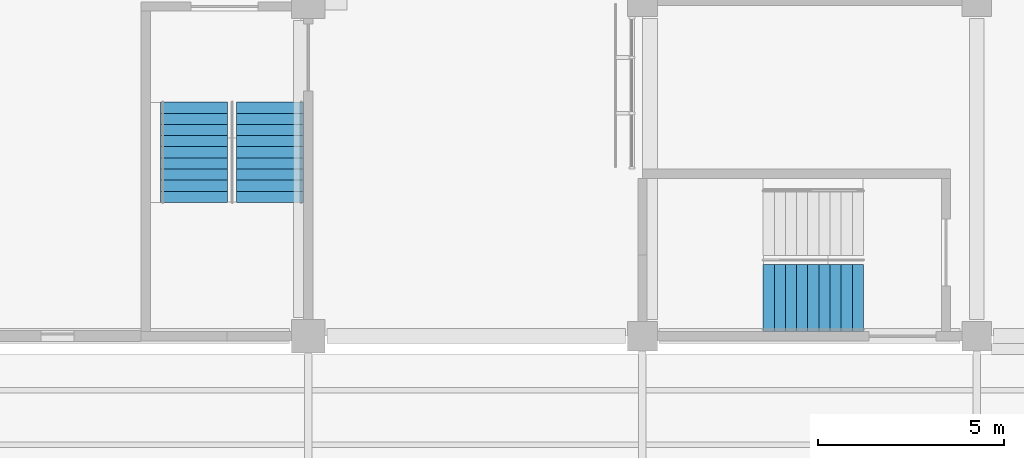
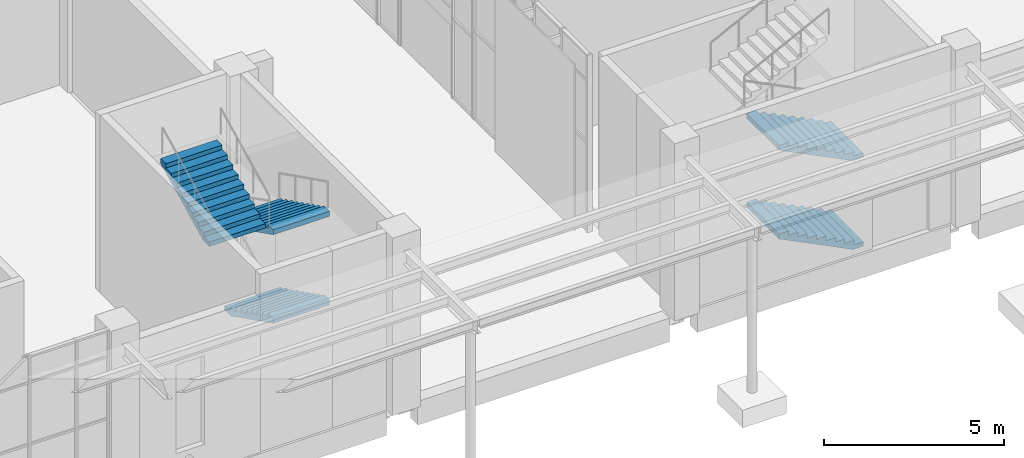
# One storey, part 68 of 86: 5 stair flights, 2 elements without a shape of their own.
"""IFC4 building model written with IfcOpenShell, lengths in metres."""

from ifc_helpers import new_model, si_unit, direction, frame, origin, place, context, subcontext, project, spatial, faceted_brep, material, type_object, element, aggregate, save


model = new_model("IFC4")

# Units and contexts
model_context = context("Model", 3, precision=1e-05, world=origin(), true_north=direction((0.0, 1.0)))
body_context = subcontext(model_context, "Body", "Model", "MODEL_VIEW")
ifc_project = project(units=[si_unit("LENGTHUNIT", "METRE"), si_unit("AREAUNIT", "SQUARE_METRE"), si_unit("VOLUMEUNIT", "CUBIC_METRE"), si_unit("PLANEANGLEUNIT", "RADIAN"), si_unit("MASSUNIT", "GRAM", prefix="KILO")], contexts=[model_context])

# Site, building, storey
site_placement = place(None, origin())
site = spatial("IfcSite", under=ifc_project, at=site_placement, CompositionType="ELEMENT")
building_placement = place(site_placement, origin())
building = spatial("IfcBuilding", under=site, at=building_placement, Name="Guidao Yard Department Store", CompositionType="ELEMENT")
storey_placement = place(building_placement, origin())
storey = spatial("IfcBuildingStorey", under=building, at=storey_placement, Name="L00", CompositionType="ELEMENT", Elevation=0.0)

# Stair, stair flights
ifc_material_1 = material(Name="Concrete C35", Category="concrete")
stair_type = type_object("IfcStairType", Name="Stair double-return four-flight 1800 wide 6.0 m rise", PredefinedType="DOUBLE_RETURN_STAIR", material=ifc_material_1)
stair_1_placement = place(storey_placement, origin())
stair_1 = element("IfcStair", 1, at=stair_1_placement, inside=storey, type_object=stair_type, Name="Stair A2 L00 to L01", PredefinedType="DOUBLE_RETURN_STAIR")
ifc_material_2 = material(Name="Concrete C35", Category="concrete")
stair_flight_type = type_object("IfcStairFlightType", Name="Stair flight RC straight 1800 wide 10 risers x 300 going C35", PredefinedType="STRAIGHT", material=ifc_material_2)
stair_flight_1_placement = place(storey_placement, frame((61.97509765625, 51.300048828125, 0.0), z_axis=(0.0, 0.0, 1.0), x_axis=(0.0, -1.0, 0.0)))
stair_flight_1 = element("IfcStairFlight", 2, at=stair_flight_1_placement, type_object=stair_flight_type, Name="SA2-L00 flight 1", NumberOfRisers=10, NumberOfTreads=9, PredefinedType="STRAIGHT", RiserHeight=0.15, TreadLength=0.3, context=body_context, shape_type="Brep", body=[
    faceted_brep([(0.0, 0.89990234375, 0.0), (0.0, 0.89990234375, 0.14990234375), (0.300048828125, 0.89990234375, 0.14990234375), (0.300048828125, 0.89990234375, 0.300048828125), (0.60009765625, 0.89990234375, 0.300048828125), (0.60009765625, 0.89990234375, 0.449951171875), (0.89990234375, 0.89990234375, 0.449951171875), (0.89990234375, 0.89990234375, 0.60009765625), (1.199951171875, 0.89990234375, 0.60009765625), (1.199951171875, 0.89990234375, 0.75), (1.5, 0.89990234375, 0.75), (1.5, 0.89990234375, 0.89990234375), (1.800048828125, 0.89990234375, 0.89990234375), (1.800048828125, 0.89990234375, 1.050048828125), (2.10009765625, 0.89990234375, 1.050048828125), (2.10009765625, 0.89990234375, 1.199951171875), (2.39990234375, 0.89990234375, 1.199951171875), (2.39990234375, 0.89990234375, 1.35009765625), (2.699951171875, 0.89990234375, 1.35009765625), (2.699951171875, 0.89990234375, 1.182373046875), (0.335205078125, 0.89990234375, 0.0), (0.335205078125, -0.89990234375, 0.0), (2.699951171875, -0.89990234375, 1.182373046875), (2.699951171875, -0.89990234375, 1.35009765625), (2.39990234375, -0.89990234375, 1.35009765625), (2.39990234375, -0.89990234375, 1.199951171875), (2.10009765625, -0.89990234375, 1.199951171875), (2.10009765625, -0.89990234375, 1.050048828125), (1.800048828125, -0.89990234375, 1.050048828125), (1.800048828125, -0.89990234375, 0.89990234375), (1.5, -0.89990234375, 0.89990234375), (1.5, -0.89990234375, 0.75), (1.199951171875, -0.89990234375, 0.75), (1.199951171875, -0.89990234375, 0.60009765625), (0.89990234375, -0.89990234375, 0.60009765625), (0.89990234375, -0.89990234375, 0.449951171875), (0.60009765625, -0.89990234375, 0.449951171875), (0.60009765625, -0.89990234375, 0.300048828125), (0.300048828125, -0.89990234375, 0.300048828125), (0.300048828125, -0.89990234375, 0.14990234375), (0.0, -0.89990234375, 0.14990234375), (0.0, -0.89990234375, 0.0), (0.0, 0.300048828125, 0.0), (0.0, 0.300048828125, 0.14990234375), (0.0, -0.300048828125, 0.0), (0.0, -0.300048828125, 0.14990234375), (0.300048828125, 0.300048828125, 0.14990234375), (0.300048828125, -0.300048828125, 0.14990234375), (0.300048828125, 0.300048828125, 0.300048828125), (0.300048828125, -0.300048828125, 0.300048828125), (0.60009765625, 0.300048828125, 0.300048828125), (0.60009765625, -0.300048828125, 0.300048828125), (0.60009765625, 0.300048828125, 0.449951171875), (0.60009765625, -0.300048828125, 0.449951171875), (0.89990234375, 0.300048828125, 0.449951171875), (0.89990234375, -0.300048828125, 0.449951171875), (0.89990234375, 0.300048828125, 0.60009765625), (0.89990234375, -0.300048828125, 0.60009765625), (1.199951171875, 0.300048828125, 0.60009765625), (1.199951171875, -0.300048828125, 0.60009765625), (1.199951171875, 0.300048828125, 0.75), (1.199951171875, -0.300048828125, 0.75), (1.5, 0.300048828125, 0.75), (1.5, -0.300048828125, 0.75), (1.5, 0.300048828125, 0.89990234375), (1.5, -0.300048828125, 0.89990234375), (1.800048828125, 0.300048828125, 0.89990234375), (1.800048828125, -0.300048828125, 0.89990234375), (1.800048828125, 0.300048828125, 1.050048828125), (1.800048828125, -0.300048828125, 1.050048828125), (2.10009765625, 0.300048828125, 1.050048828125), (2.10009765625, -0.300048828125, 1.050048828125), (2.10009765625, 0.300048828125, 1.199951171875), (2.10009765625, -0.300048828125, 1.199951171875), (2.39990234375, 0.300048828125, 1.199951171875), (2.39990234375, -0.300048828125, 1.199951171875), (2.39990234375, 0.300048828125, 1.35009765625), (2.39990234375, -0.300048828125, 1.35009765625), (2.699951171875, 0.300048828125, 1.35009765625), (2.699951171875, -0.300048828125, 1.35009765625), (2.699951171875, 0.300048828125, 1.182373046875), (2.699951171875, -0.300048828125, 1.182373046875), (0.335205078125, 0.300048828125, 0.0), (0.335205078125, -0.300048828125, 0.0)], [[[0, 1, 2, 3, 4, 5, 6, 7, 8, 9, 10, 11, 12, 13, 14, 15, 16, 17, 18, 19, 20]], [[21, 22, 23, 24, 25, 26, 27, 28, 29, 30, 31, 32, 33, 34, 35, 36, 37, 38, 39, 40, 41]], [[42, 43, 1, 0]], [[44, 45, 43, 42]], [[41, 40, 45, 44]], [[43, 46, 2, 1]], [[45, 47, 46, 43]], [[40, 39, 47, 45]], [[46, 48, 3, 2]], [[47, 49, 48, 46]], [[39, 38, 49, 47]], [[48, 50, 4, 3]], [[49, 51, 50, 48]], [[38, 37, 51, 49]], [[50, 52, 5, 4]], [[51, 53, 52, 50]], [[37, 36, 53, 51]], [[52, 54, 6, 5]], [[53, 55, 54, 52]], [[36, 35, 55, 53]], [[54, 56, 7, 6]], [[55, 57, 56, 54]], [[35, 34, 57, 55]], [[56, 58, 8, 7]], [[57, 59, 58, 56]], [[34, 33, 59, 57]], [[58, 60, 9, 8]], [[59, 61, 60, 58]], [[33, 32, 61, 59]], [[60, 62, 10, 9]], [[61, 63, 62, 60]], [[32, 31, 63, 61]], [[62, 64, 11, 10]], [[63, 65, 64, 62]], [[31, 30, 65, 63]], [[64, 66, 12, 11]], [[65, 67, 66, 64]], [[30, 29, 67, 65]], [[66, 68, 13, 12]], [[67, 69, 68, 66]], [[29, 28, 69, 67]], [[68, 70, 14, 13]], [[69, 71, 70, 68]], [[28, 27, 71, 69]], [[70, 72, 15, 14]], [[71, 73, 72, 70]], [[27, 26, 73, 71]], [[72, 74, 16, 15]], [[73, 75, 74, 72]], [[26, 25, 75, 73]], [[74, 76, 17, 16]], [[75, 77, 76, 74]], [[25, 24, 77, 75]], [[76, 78, 18, 17]], [[77, 79, 78, 76]], [[24, 23, 79, 77]], [[78, 80, 19, 18]], [[79, 81, 80, 78]], [[23, 22, 81, 79]], [[80, 82, 20, 19]], [[81, 83, 82, 80]], [[22, 21, 83, 81]], [[82, 42, 0, 20]], [[83, 44, 42, 82]], [[21, 41, 44, 83]]]),
])
stair_flight_2_placement = place(storey_placement, frame((61.97509765625, 51.300048828125, 3.0), z_axis=(0.0, 0.0, 1.0), x_axis=(0.0, -1.0, 0.0)))
stair_flight_2 = element("IfcStairFlight", 3, at=stair_flight_2_placement, type_object=stair_flight_type, Name="SA2-L00 flight 3", NumberOfRisers=10, NumberOfTreads=9, PredefinedType="STRAIGHT", RiserHeight=0.15, TreadLength=0.3, context=body_context, shape_type="Brep", body=[
    faceted_brep([(0.0, 0.89990234375, 0.0), (0.0, 0.89990234375, 0.14990234375), (0.300048828125, 0.89990234375, 0.14990234375), (0.300048828125, 0.89990234375, 0.300048828125), (0.60009765625, 0.89990234375, 0.300048828125), (0.60009765625, 0.89990234375, 0.449951171875), (0.89990234375, 0.89990234375, 0.449951171875), (0.89990234375, 0.89990234375, 0.60009765625), (1.199951171875, 0.89990234375, 0.60009765625), (1.199951171875, 0.89990234375, 0.75), (1.5, 0.89990234375, 0.75), (1.5, 0.89990234375, 0.89990234375), (1.800048828125, 0.89990234375, 0.89990234375), (1.800048828125, 0.89990234375, 1.050048828125), (2.10009765625, 0.89990234375, 1.050048828125), (2.10009765625, 0.89990234375, 1.199951171875), (2.39990234375, 0.89990234375, 1.199951171875), (2.39990234375, 0.89990234375, 1.35009765625), (2.699951171875, 0.89990234375, 1.35009765625), (2.699951171875, 0.89990234375, 1.182373046875), (0.335205078125, 0.89990234375, 0.0), (0.335205078125, -0.89990234375, 0.0), (2.699951171875, -0.89990234375, 1.182373046875), (2.699951171875, -0.89990234375, 1.35009765625), (2.39990234375, -0.89990234375, 1.35009765625), (2.39990234375, -0.89990234375, 1.199951171875), (2.10009765625, -0.89990234375, 1.199951171875), (2.10009765625, -0.89990234375, 1.050048828125), (1.800048828125, -0.89990234375, 1.050048828125), (1.800048828125, -0.89990234375, 0.89990234375), (1.5, -0.89990234375, 0.89990234375), (1.5, -0.89990234375, 0.75), (1.199951171875, -0.89990234375, 0.75), (1.199951171875, -0.89990234375, 0.60009765625), (0.89990234375, -0.89990234375, 0.60009765625), (0.89990234375, -0.89990234375, 0.449951171875), (0.60009765625, -0.89990234375, 0.449951171875), (0.60009765625, -0.89990234375, 0.300048828125), (0.300048828125, -0.89990234375, 0.300048828125), (0.300048828125, -0.89990234375, 0.14990234375), (0.0, -0.89990234375, 0.14990234375), (0.0, -0.89990234375, 0.0), (0.0, 0.300048828125, 0.0), (0.0, 0.300048828125, 0.14990234375), (0.0, -0.300048828125, 0.0), (0.0, -0.300048828125, 0.14990234375), (0.300048828125, 0.300048828125, 0.14990234375), (0.300048828125, -0.300048828125, 0.14990234375), (0.300048828125, 0.300048828125, 0.300048828125), (0.300048828125, -0.300048828125, 0.300048828125), (0.60009765625, 0.300048828125, 0.300048828125), (0.60009765625, -0.300048828125, 0.300048828125), (0.60009765625, 0.300048828125, 0.449951171875), (0.60009765625, -0.300048828125, 0.449951171875), (0.89990234375, 0.300048828125, 0.449951171875), (0.89990234375, -0.300048828125, 0.449951171875), (0.89990234375, 0.300048828125, 0.60009765625), (0.89990234375, -0.300048828125, 0.60009765625), (1.199951171875, 0.300048828125, 0.60009765625), (1.199951171875, -0.300048828125, 0.60009765625), (1.199951171875, 0.300048828125, 0.75), (1.199951171875, -0.300048828125, 0.75), (1.5, 0.300048828125, 0.75), (1.5, -0.300048828125, 0.75), (1.5, 0.300048828125, 0.89990234375), (1.5, -0.300048828125, 0.89990234375), (1.800048828125, 0.300048828125, 0.89990234375), (1.800048828125, -0.300048828125, 0.89990234375), (1.800048828125, 0.300048828125, 1.050048828125), (1.800048828125, -0.300048828125, 1.050048828125), (2.10009765625, 0.300048828125, 1.050048828125), (2.10009765625, -0.300048828125, 1.050048828125), (2.10009765625, 0.300048828125, 1.199951171875), (2.10009765625, -0.300048828125, 1.199951171875), (2.39990234375, 0.300048828125, 1.199951171875), (2.39990234375, -0.300048828125, 1.199951171875), (2.39990234375, 0.300048828125, 1.35009765625), (2.39990234375, -0.300048828125, 1.35009765625), (2.699951171875, 0.300048828125, 1.35009765625), (2.699951171875, -0.300048828125, 1.35009765625), (2.699951171875, 0.300048828125, 1.182373046875), (2.699951171875, -0.300048828125, 1.182373046875), (0.335205078125, 0.300048828125, 0.0), (0.335205078125, -0.300048828125, 0.0)], [[[0, 1, 2, 3, 4, 5, 6, 7, 8, 9, 10, 11, 12, 13, 14, 15, 16, 17, 18, 19, 20]], [[21, 22, 23, 24, 25, 26, 27, 28, 29, 30, 31, 32, 33, 34, 35, 36, 37, 38, 39, 40, 41]], [[42, 43, 1, 0]], [[44, 45, 43, 42]], [[41, 40, 45, 44]], [[43, 46, 2, 1]], [[45, 47, 46, 43]], [[40, 39, 47, 45]], [[46, 48, 3, 2]], [[47, 49, 48, 46]], [[39, 38, 49, 47]], [[48, 50, 4, 3]], [[49, 51, 50, 48]], [[38, 37, 51, 49]], [[50, 52, 5, 4]], [[51, 53, 52, 50]], [[37, 36, 53, 51]], [[52, 54, 6, 5]], [[53, 55, 54, 52]], [[36, 35, 55, 53]], [[54, 56, 7, 6]], [[55, 57, 56, 54]], [[35, 34, 57, 55]], [[56, 58, 8, 7]], [[57, 59, 58, 56]], [[34, 33, 59, 57]], [[58, 60, 9, 8]], [[59, 61, 60, 58]], [[33, 32, 61, 59]], [[60, 62, 10, 9]], [[61, 63, 62, 60]], [[32, 31, 63, 61]], [[62, 64, 11, 10]], [[63, 65, 64, 62]], [[31, 30, 65, 63]], [[64, 66, 12, 11]], [[65, 67, 66, 64]], [[30, 29, 67, 65]], [[66, 68, 13, 12]], [[67, 69, 68, 66]], [[29, 28, 69, 67]], [[68, 70, 14, 13]], [[69, 71, 70, 68]], [[28, 27, 71, 69]], [[70, 72, 15, 14]], [[71, 73, 72, 70]], [[27, 26, 73, 71]], [[72, 74, 16, 15]], [[73, 75, 74, 72]], [[26, 25, 75, 73]], [[74, 76, 17, 16]], [[75, 77, 76, 74]], [[25, 24, 77, 75]], [[76, 78, 18, 17]], [[77, 79, 78, 76]], [[24, 23, 79, 77]], [[78, 80, 19, 18]], [[79, 81, 80, 78]], [[23, 22, 81, 79]], [[80, 82, 20, 19]], [[81, 83, 82, 80]], [[22, 21, 83, 81]], [[82, 42, 0, 20]], [[83, 44, 42, 82]], [[21, 41, 44, 83]]]),
])
stair_flight_3_placement = place(storey_placement, frame((59.925048828125, 48.60009765625, 4.5), z_axis=(0.0, 0.0, 1.0), x_axis=(0.0, 1.0, 0.0)))
stair_flight_3 = element("IfcStairFlight", 4, at=stair_flight_3_placement, type_object=stair_flight_type, Name="SA2-L00 flight 4", NumberOfRisers=10, NumberOfTreads=9, PredefinedType="STRAIGHT", RiserHeight=0.15, TreadLength=0.3, context=body_context, shape_type="Brep", body=[
    faceted_brep([(0.0, 0.89990234375, 0.0), (0.0, 0.89990234375, 0.14990234375), (0.300048828125, 0.89990234375, 0.14990234375), (0.300048828125, 0.89990234375, 0.300048828125), (0.60009765625, 0.89990234375, 0.300048828125), (0.60009765625, 0.89990234375, 0.449951171875), (0.89990234375, 0.89990234375, 0.449951171875), (0.89990234375, 0.89990234375, 0.60009765625), (1.199951171875, 0.89990234375, 0.60009765625), (1.199951171875, 0.89990234375, 0.75), (1.5, 0.89990234375, 0.75), (1.5, 0.89990234375, 0.89990234375), (1.800048828125, 0.89990234375, 0.89990234375), (1.800048828125, 0.89990234375, 1.050048828125), (2.10009765625, 0.89990234375, 1.050048828125), (2.10009765625, 0.89990234375, 1.199951171875), (2.39990234375, 0.89990234375, 1.199951171875), (2.39990234375, 0.89990234375, 1.35009765625), (2.699951171875, 0.89990234375, 1.35009765625), (2.699951171875, 0.89990234375, 1.182373046875), (0.335205078125, 0.89990234375, 0.0), (0.335205078125, -0.89990234375, 0.0), (2.699951171875, -0.89990234375, 1.182373046875), (2.699951171875, -0.89990234375, 1.35009765625), (2.39990234375, -0.89990234375, 1.35009765625), (2.39990234375, -0.89990234375, 1.199951171875), (2.10009765625, -0.89990234375, 1.199951171875), (2.10009765625, -0.89990234375, 1.050048828125), (1.800048828125, -0.89990234375, 1.050048828125), (1.800048828125, -0.89990234375, 0.89990234375), (1.5, -0.89990234375, 0.89990234375), (1.5, -0.89990234375, 0.75), (1.199951171875, -0.89990234375, 0.75), (1.199951171875, -0.89990234375, 0.60009765625), (0.89990234375, -0.89990234375, 0.60009765625), (0.89990234375, -0.89990234375, 0.449951171875), (0.60009765625, -0.89990234375, 0.449951171875), (0.60009765625, -0.89990234375, 0.300048828125), (0.300048828125, -0.89990234375, 0.300048828125), (0.300048828125, -0.89990234375, 0.14990234375), (0.0, -0.89990234375, 0.14990234375), (0.0, -0.89990234375, 0.0), (0.0, 0.300048828125, 0.0), (0.0, 0.300048828125, 0.14990234375), (0.0, -0.300048828125, 0.0), (0.0, -0.300048828125, 0.14990234375), (0.300048828125, 0.300048828125, 0.14990234375), (0.300048828125, -0.300048828125, 0.14990234375), (0.300048828125, 0.300048828125, 0.300048828125), (0.300048828125, -0.300048828125, 0.300048828125), (0.60009765625, 0.300048828125, 0.300048828125), (0.60009765625, -0.300048828125, 0.300048828125), (0.60009765625, 0.300048828125, 0.449951171875), (0.60009765625, -0.300048828125, 0.449951171875), (0.89990234375, 0.300048828125, 0.449951171875), (0.89990234375, -0.300048828125, 0.449951171875), (0.89990234375, 0.300048828125, 0.60009765625), (0.89990234375, -0.300048828125, 0.60009765625), (1.199951171875, 0.300048828125, 0.60009765625), (1.199951171875, -0.300048828125, 0.60009765625), (1.199951171875, 0.300048828125, 0.75), (1.199951171875, -0.300048828125, 0.75), (1.5, 0.300048828125, 0.75), (1.5, -0.300048828125, 0.75), (1.5, 0.300048828125, 0.89990234375), (1.5, -0.300048828125, 0.89990234375), (1.800048828125, 0.300048828125, 0.89990234375), (1.800048828125, -0.300048828125, 0.89990234375), (1.800048828125, 0.300048828125, 1.050048828125), (1.800048828125, -0.300048828125, 1.050048828125), (2.10009765625, 0.300048828125, 1.050048828125), (2.10009765625, -0.300048828125, 1.050048828125), (2.10009765625, 0.300048828125, 1.199951171875), (2.10009765625, -0.300048828125, 1.199951171875), (2.39990234375, 0.300048828125, 1.199951171875), (2.39990234375, -0.300048828125, 1.199951171875), (2.39990234375, 0.300048828125, 1.35009765625), (2.39990234375, -0.300048828125, 1.35009765625), (2.699951171875, 0.300048828125, 1.35009765625), (2.699951171875, -0.300048828125, 1.35009765625), (2.699951171875, 0.300048828125, 1.182373046875), (2.699951171875, -0.300048828125, 1.182373046875), (0.335205078125, 0.300048828125, 0.0), (0.335205078125, -0.300048828125, 0.0)], [[[0, 1, 2, 3, 4, 5, 6, 7, 8, 9, 10, 11, 12, 13, 14, 15, 16, 17, 18, 19, 20]], [[21, 22, 23, 24, 25, 26, 27, 28, 29, 30, 31, 32, 33, 34, 35, 36, 37, 38, 39, 40, 41]], [[42, 43, 1, 0]], [[44, 45, 43, 42]], [[41, 40, 45, 44]], [[43, 46, 2, 1]], [[45, 47, 46, 43]], [[40, 39, 47, 45]], [[46, 48, 3, 2]], [[47, 49, 48, 46]], [[39, 38, 49, 47]], [[48, 50, 4, 3]], [[49, 51, 50, 48]], [[38, 37, 51, 49]], [[50, 52, 5, 4]], [[51, 53, 52, 50]], [[37, 36, 53, 51]], [[52, 54, 6, 5]], [[53, 55, 54, 52]], [[36, 35, 55, 53]], [[54, 56, 7, 6]], [[55, 57, 56, 54]], [[35, 34, 57, 55]], [[56, 58, 8, 7]], [[57, 59, 58, 56]], [[34, 33, 59, 57]], [[58, 60, 9, 8]], [[59, 61, 60, 58]], [[33, 32, 61, 59]], [[60, 62, 10, 9]], [[61, 63, 62, 60]], [[32, 31, 63, 61]], [[62, 64, 11, 10]], [[63, 65, 64, 62]], [[31, 30, 65, 63]], [[64, 66, 12, 11]], [[65, 67, 66, 64]], [[30, 29, 67, 65]], [[66, 68, 13, 12]], [[67, 69, 68, 66]], [[29, 28, 69, 67]], [[68, 70, 14, 13]], [[69, 71, 70, 68]], [[28, 27, 71, 69]], [[70, 72, 15, 14]], [[71, 73, 72, 70]], [[27, 26, 73, 71]], [[72, 74, 16, 15]], [[73, 75, 74, 72]], [[26, 25, 75, 73]], [[74, 76, 17, 16]], [[75, 77, 76, 74]], [[25, 24, 77, 75]], [[76, 78, 18, 17]], [[77, 79, 78, 76]], [[24, 23, 79, 77]], [[78, 80, 19, 18]], [[79, 81, 80, 78]], [[23, 22, 81, 79]], [[80, 82, 20, 19]], [[81, 83, 82, 80]], [[22, 21, 83, 81]], [[82, 42, 0, 20]], [[83, 44, 42, 82]], [[21, 41, 44, 83]]]),
])
aggregate(stair_1, [stair_flight_1, stair_flight_2, stair_flight_3])

stair_2_placement = place(storey_placement, origin())
stair_2 = element("IfcStair", 5, at=stair_2_placement, inside=storey, type_object=stair_type, Name="Stair G1 L00 to L01", PredefinedType="DOUBLE_RETURN_STAIR")
stair_flight_4_placement = place(storey_placement, frame((77.949951171875, 46.02490234375, 0.0), z_axis=(0.0, 0.0, 1.0), x_axis=(-1.0, 0.0, 0.0)))
stair_flight_4 = element("IfcStairFlight", 6, at=stair_flight_4_placement, type_object=stair_flight_type, Name="SG1-L00 flight 1", NumberOfRisers=10, NumberOfTreads=9, PredefinedType="STRAIGHT", RiserHeight=0.15, TreadLength=0.3, context=body_context, shape_type="Brep", body=[
    faceted_brep([(0.0, 0.89990234375, 0.0), (0.0, 0.89990234375, 0.14990234375), (0.300048828125, 0.89990234375, 0.14990234375), (0.300048828125, 0.89990234375, 0.300048828125), (0.60009765625, 0.89990234375, 0.300048828125), (0.60009765625, 0.89990234375, 0.449951171875), (0.89990234375, 0.89990234375, 0.449951171875), (0.89990234375, 0.89990234375, 0.60009765625), (1.199951171875, 0.89990234375, 0.60009765625), (1.199951171875, 0.89990234375, 0.75), (1.5, 0.89990234375, 0.75), (1.5, 0.89990234375, 0.89990234375), (1.800048828125, 0.89990234375, 0.89990234375), (1.800048828125, 0.89990234375, 1.050048828125), (2.10009765625, 0.89990234375, 1.050048828125), (2.10009765625, 0.89990234375, 1.199951171875), (2.39990234375, 0.89990234375, 1.199951171875), (2.39990234375, 0.89990234375, 1.35009765625), (2.699951171875, 0.89990234375, 1.35009765625), (2.699951171875, 0.89990234375, 1.182373046875), (0.335205078125, 0.89990234375, 0.0), (0.335205078125, -0.89990234375, 0.0), (2.699951171875, -0.89990234375, 1.182373046875), (2.699951171875, -0.89990234375, 1.35009765625), (2.39990234375, -0.89990234375, 1.35009765625), (2.39990234375, -0.89990234375, 1.199951171875), (2.10009765625, -0.89990234375, 1.199951171875), (2.10009765625, -0.89990234375, 1.050048828125), (1.800048828125, -0.89990234375, 1.050048828125), (1.800048828125, -0.89990234375, 0.89990234375), (1.5, -0.89990234375, 0.89990234375), (1.5, -0.89990234375, 0.75), (1.199951171875, -0.89990234375, 0.75), (1.199951171875, -0.89990234375, 0.60009765625), (0.89990234375, -0.89990234375, 0.60009765625), (0.89990234375, -0.89990234375, 0.449951171875), (0.60009765625, -0.89990234375, 0.449951171875), (0.60009765625, -0.89990234375, 0.300048828125), (0.300048828125, -0.89990234375, 0.300048828125), (0.300048828125, -0.89990234375, 0.14990234375), (0.0, -0.89990234375, 0.14990234375), (0.0, -0.89990234375, 0.0), (0.0, 0.300048828125, 0.0), (0.0, 0.300048828125, 0.14990234375), (0.0, -0.300048828125, 0.0), (0.0, -0.300048828125, 0.14990234375), (0.300048828125, 0.300048828125, 0.14990234375), (0.300048828125, -0.300048828125, 0.14990234375), (0.300048828125, 0.300048828125, 0.300048828125), (0.300048828125, -0.300048828125, 0.300048828125), (0.60009765625, 0.300048828125, 0.300048828125), (0.60009765625, -0.300048828125, 0.300048828125), (0.60009765625, 0.300048828125, 0.449951171875), (0.60009765625, -0.300048828125, 0.449951171875), (0.89990234375, 0.300048828125, 0.449951171875), (0.89990234375, -0.300048828125, 0.449951171875), (0.89990234375, 0.300048828125, 0.60009765625), (0.89990234375, -0.300048828125, 0.60009765625), (1.199951171875, 0.300048828125, 0.60009765625), (1.199951171875, -0.300048828125, 0.60009765625), (1.199951171875, 0.300048828125, 0.75), (1.199951171875, -0.300048828125, 0.75), (1.5, 0.300048828125, 0.75), (1.5, -0.300048828125, 0.75), (1.5, 0.300048828125, 0.89990234375), (1.5, -0.300048828125, 0.89990234375), (1.800048828125, 0.300048828125, 0.89990234375), (1.800048828125, -0.300048828125, 0.89990234375), (1.800048828125, 0.300048828125, 1.050048828125), (1.800048828125, -0.300048828125, 1.050048828125), (2.10009765625, 0.300048828125, 1.050048828125), (2.10009765625, -0.300048828125, 1.050048828125), (2.10009765625, 0.300048828125, 1.199951171875), (2.10009765625, -0.300048828125, 1.199951171875), (2.39990234375, 0.300048828125, 1.199951171875), (2.39990234375, -0.300048828125, 1.199951171875), (2.39990234375, 0.300048828125, 1.35009765625), (2.39990234375, -0.300048828125, 1.35009765625), (2.699951171875, 0.300048828125, 1.35009765625), (2.699951171875, -0.300048828125, 1.35009765625), (2.699951171875, 0.300048828125, 1.182373046875), (2.699951171875, -0.300048828125, 1.182373046875), (0.335205078125, 0.300048828125, 0.0), (0.335205078125, -0.300048828125, 0.0)], [[[0, 1, 2, 3, 4, 5, 6, 7, 8, 9, 10, 11, 12, 13, 14, 15, 16, 17, 18, 19, 20]], [[21, 22, 23, 24, 25, 26, 27, 28, 29, 30, 31, 32, 33, 34, 35, 36, 37, 38, 39, 40, 41]], [[42, 43, 1, 0]], [[44, 45, 43, 42]], [[41, 40, 45, 44]], [[43, 46, 2, 1]], [[45, 47, 46, 43]], [[40, 39, 47, 45]], [[46, 48, 3, 2]], [[47, 49, 48, 46]], [[39, 38, 49, 47]], [[48, 50, 4, 3]], [[49, 51, 50, 48]], [[38, 37, 51, 49]], [[50, 52, 5, 4]], [[51, 53, 52, 50]], [[37, 36, 53, 51]], [[52, 54, 6, 5]], [[53, 55, 54, 52]], [[36, 35, 55, 53]], [[54, 56, 7, 6]], [[55, 57, 56, 54]], [[35, 34, 57, 55]], [[56, 58, 8, 7]], [[57, 59, 58, 56]], [[34, 33, 59, 57]], [[58, 60, 9, 8]], [[59, 61, 60, 58]], [[33, 32, 61, 59]], [[60, 62, 10, 9]], [[61, 63, 62, 60]], [[32, 31, 63, 61]], [[62, 64, 11, 10]], [[63, 65, 64, 62]], [[31, 30, 65, 63]], [[64, 66, 12, 11]], [[65, 67, 66, 64]], [[30, 29, 67, 65]], [[66, 68, 13, 12]], [[67, 69, 68, 66]], [[29, 28, 69, 67]], [[68, 70, 14, 13]], [[69, 71, 70, 68]], [[28, 27, 71, 69]], [[70, 72, 15, 14]], [[71, 73, 72, 70]], [[27, 26, 73, 71]], [[72, 74, 16, 15]], [[73, 75, 74, 72]], [[26, 25, 75, 73]], [[74, 76, 17, 16]], [[75, 77, 76, 74]], [[25, 24, 77, 75]], [[76, 78, 18, 17]], [[77, 79, 78, 76]], [[24, 23, 79, 77]], [[78, 80, 19, 18]], [[79, 81, 80, 78]], [[23, 22, 81, 79]], [[80, 82, 20, 19]], [[81, 83, 82, 80]], [[22, 21, 83, 81]], [[82, 42, 0, 20]], [[83, 44, 42, 82]], [[21, 41, 44, 83]]]),
])
stair_flight_5_placement = place(storey_placement, frame((77.949951171875, 46.02490234375, 3.0), z_axis=(0.0, 0.0, 1.0), x_axis=(-1.0, 0.0, 0.0)))
stair_flight_5 = element("IfcStairFlight", 7, at=stair_flight_5_placement, type_object=stair_flight_type, Name="SG1-L00 flight 3", NumberOfRisers=10, NumberOfTreads=9, PredefinedType="STRAIGHT", RiserHeight=0.15, TreadLength=0.3, context=body_context, shape_type="Brep", body=[
    faceted_brep([(0.0, 0.89990234375, 0.0), (0.0, 0.89990234375, 0.14990234375), (0.300048828125, 0.89990234375, 0.14990234375), (0.300048828125, 0.89990234375, 0.300048828125), (0.60009765625, 0.89990234375, 0.300048828125), (0.60009765625, 0.89990234375, 0.449951171875), (0.89990234375, 0.89990234375, 0.449951171875), (0.89990234375, 0.89990234375, 0.60009765625), (1.199951171875, 0.89990234375, 0.60009765625), (1.199951171875, 0.89990234375, 0.75), (1.5, 0.89990234375, 0.75), (1.5, 0.89990234375, 0.89990234375), (1.800048828125, 0.89990234375, 0.89990234375), (1.800048828125, 0.89990234375, 1.050048828125), (2.10009765625, 0.89990234375, 1.050048828125), (2.10009765625, 0.89990234375, 1.199951171875), (2.39990234375, 0.89990234375, 1.199951171875), (2.39990234375, 0.89990234375, 1.35009765625), (2.699951171875, 0.89990234375, 1.35009765625), (2.699951171875, 0.89990234375, 1.182373046875), (0.335205078125, 0.89990234375, 0.0), (0.335205078125, -0.89990234375, 0.0), (2.699951171875, -0.89990234375, 1.182373046875), (2.699951171875, -0.89990234375, 1.35009765625), (2.39990234375, -0.89990234375, 1.35009765625), (2.39990234375, -0.89990234375, 1.199951171875), (2.10009765625, -0.89990234375, 1.199951171875), (2.10009765625, -0.89990234375, 1.050048828125), (1.800048828125, -0.89990234375, 1.050048828125), (1.800048828125, -0.89990234375, 0.89990234375), (1.5, -0.89990234375, 0.89990234375), (1.5, -0.89990234375, 0.75), (1.199951171875, -0.89990234375, 0.75), (1.199951171875, -0.89990234375, 0.60009765625), (0.89990234375, -0.89990234375, 0.60009765625), (0.89990234375, -0.89990234375, 0.449951171875), (0.60009765625, -0.89990234375, 0.449951171875), (0.60009765625, -0.89990234375, 0.300048828125), (0.300048828125, -0.89990234375, 0.300048828125), (0.300048828125, -0.89990234375, 0.14990234375), (0.0, -0.89990234375, 0.14990234375), (0.0, -0.89990234375, 0.0), (0.0, 0.300048828125, 0.0), (0.0, 0.300048828125, 0.14990234375), (0.0, -0.300048828125, 0.0), (0.0, -0.300048828125, 0.14990234375), (0.300048828125, 0.300048828125, 0.14990234375), (0.300048828125, -0.300048828125, 0.14990234375), (0.300048828125, 0.300048828125, 0.300048828125), (0.300048828125, -0.300048828125, 0.300048828125), (0.60009765625, 0.300048828125, 0.300048828125), (0.60009765625, -0.300048828125, 0.300048828125), (0.60009765625, 0.300048828125, 0.449951171875), (0.60009765625, -0.300048828125, 0.449951171875), (0.89990234375, 0.300048828125, 0.449951171875), (0.89990234375, -0.300048828125, 0.449951171875), (0.89990234375, 0.300048828125, 0.60009765625), (0.89990234375, -0.300048828125, 0.60009765625), (1.199951171875, 0.300048828125, 0.60009765625), (1.199951171875, -0.300048828125, 0.60009765625), (1.199951171875, 0.300048828125, 0.75), (1.199951171875, -0.300048828125, 0.75), (1.5, 0.300048828125, 0.75), (1.5, -0.300048828125, 0.75), (1.5, 0.300048828125, 0.89990234375), (1.5, -0.300048828125, 0.89990234375), (1.800048828125, 0.300048828125, 0.89990234375), (1.800048828125, -0.300048828125, 0.89990234375), (1.800048828125, 0.300048828125, 1.050048828125), (1.800048828125, -0.300048828125, 1.050048828125), (2.10009765625, 0.300048828125, 1.050048828125), (2.10009765625, -0.300048828125, 1.050048828125), (2.10009765625, 0.300048828125, 1.199951171875), (2.10009765625, -0.300048828125, 1.199951171875), (2.39990234375, 0.300048828125, 1.199951171875), (2.39990234375, -0.300048828125, 1.199951171875), (2.39990234375, 0.300048828125, 1.35009765625), (2.39990234375, -0.300048828125, 1.35009765625), (2.699951171875, 0.300048828125, 1.35009765625), (2.699951171875, -0.300048828125, 1.35009765625), (2.699951171875, 0.300048828125, 1.182373046875), (2.699951171875, -0.300048828125, 1.182373046875), (0.335205078125, 0.300048828125, 0.0), (0.335205078125, -0.300048828125, 0.0)], [[[0, 1, 2, 3, 4, 5, 6, 7, 8, 9, 10, 11, 12, 13, 14, 15, 16, 17, 18, 19, 20]], [[21, 22, 23, 24, 25, 26, 27, 28, 29, 30, 31, 32, 33, 34, 35, 36, 37, 38, 39, 40, 41]], [[42, 43, 1, 0]], [[44, 45, 43, 42]], [[41, 40, 45, 44]], [[43, 46, 2, 1]], [[45, 47, 46, 43]], [[40, 39, 47, 45]], [[46, 48, 3, 2]], [[47, 49, 48, 46]], [[39, 38, 49, 47]], [[48, 50, 4, 3]], [[49, 51, 50, 48]], [[38, 37, 51, 49]], [[50, 52, 5, 4]], [[51, 53, 52, 50]], [[37, 36, 53, 51]], [[52, 54, 6, 5]], [[53, 55, 54, 52]], [[36, 35, 55, 53]], [[54, 56, 7, 6]], [[55, 57, 56, 54]], [[35, 34, 57, 55]], [[56, 58, 8, 7]], [[57, 59, 58, 56]], [[34, 33, 59, 57]], [[58, 60, 9, 8]], [[59, 61, 60, 58]], [[33, 32, 61, 59]], [[60, 62, 10, 9]], [[61, 63, 62, 60]], [[32, 31, 63, 61]], [[62, 64, 11, 10]], [[63, 65, 64, 62]], [[31, 30, 65, 63]], [[64, 66, 12, 11]], [[65, 67, 66, 64]], [[30, 29, 67, 65]], [[66, 68, 13, 12]], [[67, 69, 68, 66]], [[29, 28, 69, 67]], [[68, 70, 14, 13]], [[69, 71, 70, 68]], [[28, 27, 71, 69]], [[70, 72, 15, 14]], [[71, 73, 72, 70]], [[27, 26, 73, 71]], [[72, 74, 16, 15]], [[73, 75, 74, 72]], [[26, 25, 75, 73]], [[74, 76, 17, 16]], [[75, 77, 76, 74]], [[25, 24, 77, 75]], [[76, 78, 18, 17]], [[77, 79, 78, 76]], [[24, 23, 79, 77]], [[78, 80, 19, 18]], [[79, 81, 80, 78]], [[23, 22, 81, 79]], [[80, 82, 20, 19]], [[81, 83, 82, 80]], [[22, 21, 83, 81]], [[82, 42, 0, 20]], [[83, 44, 42, 82]], [[21, 41, 44, 83]]]),
])
aggregate(stair_2, [stair_flight_4, stair_flight_5])

save(model, "model.ifc")
